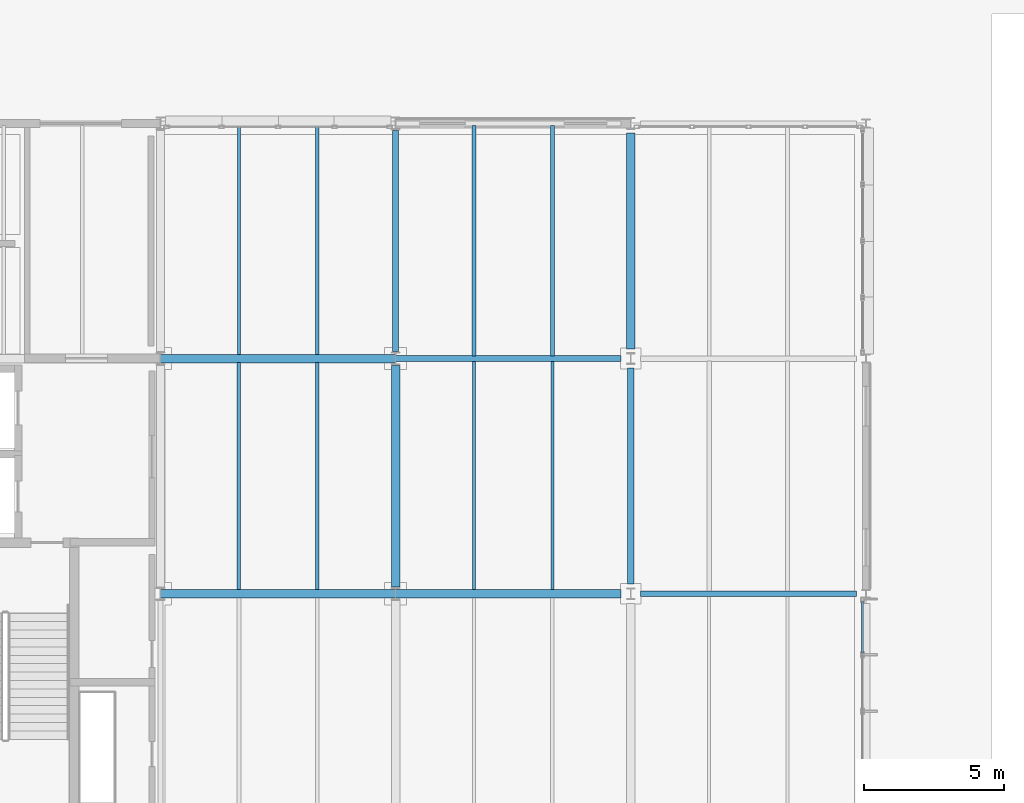
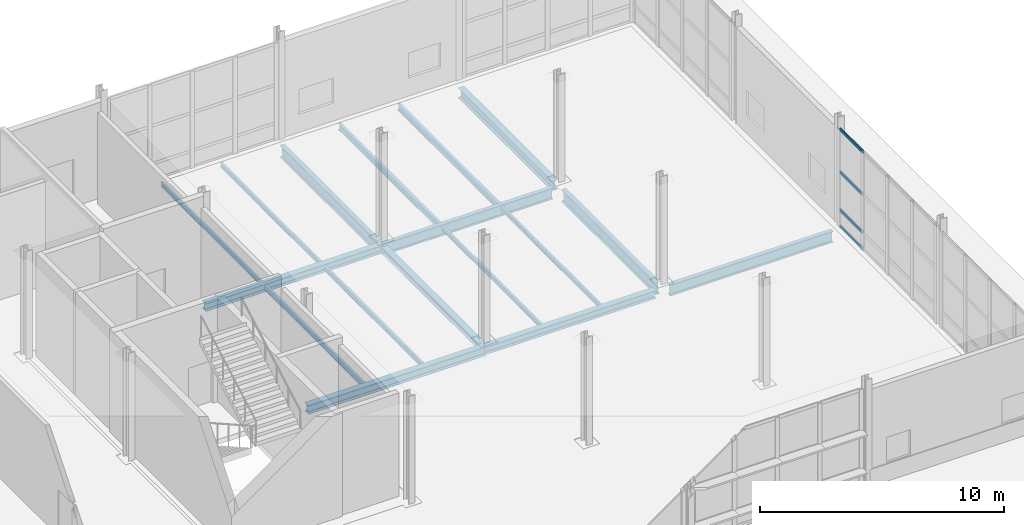
# One storey, part 48 of 124: 17 beams, 4 members, 1 element without a shape of its own.
"""IFC4 building model written with IfcOpenShell, lengths in metres."""

from ifc_helpers import new_model, si_unit, direction, frame, origin, origin_2d, place, context, subcontext, project, spatial, hollow_rectangle, i_section, extrude, material, material_profile, profile_set, type_object, element, aggregate, save


model = new_model("IFC4")

# Units and contexts
model_context = context("Model", 3, precision=1e-05, world=origin(), true_north=direction((0.0, 1.0)))
body_context = subcontext(model_context, "Body", "Model", "MODEL_VIEW")
ifc_project = project(units=[si_unit("LENGTHUNIT", "METRE"), si_unit("AREAUNIT", "SQUARE_METRE"), si_unit("VOLUMEUNIT", "CUBIC_METRE"), si_unit("PLANEANGLEUNIT", "RADIAN"), si_unit("MASSUNIT", "GRAM", prefix="KILO")], contexts=[model_context])

# Site, building, storey
site_placement = place(None, origin())
site = spatial("IfcSite", under=ifc_project, at=site_placement, CompositionType="ELEMENT")
building_placement = place(site_placement, origin())
building = spatial("IfcBuilding", under=site, at=building_placement, Name="Mersafa Astral City Hall", CompositionType="ELEMENT")
storey_placement = place(building_placement, origin())
storey = spatial("IfcBuildingStorey", under=building, at=storey_placement, Name="L00", CompositionType="ELEMENT", Elevation=0.0)

# Curtain wall, members
ifc_material_1 = material(Name="Anodised bronze aluminium framing", Category="aluminium")
curtain_wall_type = type_object("IfcCurtainWallType", Name="ENV-CW-5", PredefinedType="USERDEFINED", material=ifc_material_1)
curtain_wall_placement = place(storey_placement, origin())
curtain_wall = element("IfcCurtainWall", 1, at=curtain_wall_placement, inside=storey, type_object=curtain_wall_type, Name="L00 Unitised solar curtain wall 4", ObjectType="UNITISED CURTAIN WALL", PredefinedType="USERDEFINED")
ifc_material_profile_1 = material_profile(ifc_material_1, hollow_rectangle(XDim=0.06005859375, YDim=0.159912109375, WallThickness=0.00390625, at=origin_2d()), Name="RHS 60x160x4")
ifc_profile_set_1 = profile_set([ifc_material_profile_1], Name="Anodised bronze aluminium framing")
member_type = type_object("IfcMemberType", Name="ENV-CW-TRN-2", PredefinedType="USERDEFINED", material=ifc_profile_set_1)
member_1_placement = place(storey_placement, frame((151.080078125, 14.678955078125, 0.028076171875), z_axis=(0.0, 1.0, 0.0), x_axis=(-1.0, 0.0, 0.0)))
member_1 = element("IfcMember", 2, at=member_1_placement, type_object=member_type, Name="CW-5 transom 4.1", ObjectType="TRANSOM", PredefinedType="USERDEFINED", context=body_context, shape_type="SweptSolid", body=[
    extrude(hollow_rectangle(XDim=0.06005859375, YDim=0.159912109375, WallThickness=0.00390625, at=origin_2d()), origin(), (0.0, 0.0, 1.0), 1.839111328125),
])
member_2_placement = place(storey_placement, frame((151.080078125, 14.678955078125, 0.85009765625), z_axis=(0.0, 1.0, 0.0), x_axis=(-1.0, 0.0, 0.0)))
member_2 = element("IfcMember", 3, at=member_2_placement, type_object=member_type, Name="CW-5 transom 4.2", ObjectType="TRANSOM", PredefinedType="USERDEFINED", context=body_context, shape_type="SweptSolid", body=[
    extrude(hollow_rectangle(XDim=0.06005859375, YDim=0.159912109375, WallThickness=0.00390625, at=origin_2d()), origin(), (0.0, 0.0, 1.0), 1.839111328125),
])
member_3_placement = place(storey_placement, frame((151.080078125, 14.678955078125, 2.75), z_axis=(0.0, 1.0, 0.0), x_axis=(-1.0, 0.0, 0.0)))
member_3 = element("IfcMember", 4, at=member_3_placement, type_object=member_type, Name="CW-5 transom 4.3", ObjectType="TRANSOM", PredefinedType="USERDEFINED", context=body_context, shape_type="SweptSolid", body=[
    extrude(hollow_rectangle(XDim=0.06005859375, YDim=0.159912109375, WallThickness=0.00390625, at=origin_2d()), origin(), (0.0, 0.0, 1.0), 1.839111328125),
])
member_4_placement = place(storey_placement, frame((151.080078125, 14.678955078125, 4.8720703125), z_axis=(0.0, 1.0, 0.0), x_axis=(-1.0, 0.0, 0.0)))
member_4 = element("IfcMember", 5, at=member_4_placement, type_object=member_type, Name="CW-5 transom 4.4", ObjectType="TRANSOM", PredefinedType="USERDEFINED", context=body_context, shape_type="SweptSolid", body=[
    extrude(hollow_rectangle(XDim=0.06005859375, YDim=0.159912109375, WallThickness=0.00390625, at=origin_2d()), origin(), (0.0, 0.0, 1.0), 1.839111328125),
])
aggregate(curtain_wall, [member_1, member_2, member_3, member_4])

# Beams
ifc_material_2 = material(Name="Steel S355", Category="steel")
ifc_material_profile_2 = material_profile(ifc_material_2, i_section(OverallWidth=0.300048828125, OverallDepth=0.31005859375, WebThickness=0.009033203125, FlangeThickness=0.015380859375, FilletRadius=0.027099609375, at=origin_2d()), Name="HEA 320")
ifc_profile_set_2 = profile_set([ifc_material_profile_2], Name="Steel S355")
beam_type_1 = type_object("IfcBeamType", Name="STR-BM-HEA320", PredefinedType="BEAM", material=ifc_profile_set_2)
beam_1_placement = place(storey_placement, frame((134.39990234375, 17.044921875, -0.405029296875), z_axis=(0.0, 1.0, 0.0), x_axis=(-1.0, 0.0, 0.0)))
element("IfcBeam", 6, at=beam_1_placement, inside=storey, type_object=beam_type_1, Name="L00 Primary girder Y 16-2", PredefinedType="BEAM", context=body_context, shape_type="SweptSolid", body=[
    extrude(i_section(OverallWidth=0.300048828125, OverallDepth=0.31005859375, WebThickness=0.009033203125, FlangeThickness=0.015380859375, FilletRadius=0.027099609375, at=origin_2d()), origin(), (0.0, 0.0, 1.0), 7.91015625),
])
ifc_material_profile_3 = material_profile(ifc_material_2, i_section(OverallWidth=0.300048828125, OverallDepth=0.389892578125, WebThickness=0.010986328125, FlangeThickness=0.01904296875, FilletRadius=0.027099609375, at=origin_2d()), Name="HEA 400")
ifc_profile_set_3 = profile_set([ifc_material_profile_3], Name="Steel S355")
beam_type_2 = type_object("IfcBeamType", Name="STR-BM-HEA400", PredefinedType="BEAM", material=ifc_profile_set_3)
beam_2_placement = place(storey_placement, frame((134.403076171875, 16.800048828125, -0.445068359375), z_axis=(1.0, 0.0, 0.0), x_axis=(0.0, 1.0, 0.0)))
element("IfcBeam", 7, at=beam_2_placement, inside=storey, type_object=beam_type_2, Name="L00 Primary girder X 16-2", PredefinedType="BEAM", context=body_context, shape_type="SweptSolid", body=[
    extrude(i_section(OverallWidth=0.300048828125, OverallDepth=0.389892578125, WebThickness=0.010986328125, FlangeThickness=0.01904296875, FilletRadius=0.027099609375, at=origin_2d()), origin(), (0.0, 0.0, 1.0), 8.052001953125),
])
beam_3_placement = place(storey_placement, frame((126.0029296875, 25.199951171875, -0.445068359375), z_axis=(1.0, 0.0, 0.0), x_axis=(0.0, 1.0, 0.0)))
element("IfcBeam", 8, at=beam_3_placement, inside=storey, type_object=beam_type_2, Name="L00 Primary girder X 15-3", PredefinedType="BEAM", context=body_context, shape_type="SweptSolid", body=[
    extrude(i_section(OverallWidth=0.300048828125, OverallDepth=0.389892578125, WebThickness=0.010986328125, FlangeThickness=0.01904296875, FilletRadius=0.027099609375, at=origin_2d()), origin(), (0.0, 0.0, 1.0), 8.39404296875),
])
ifc_material_profile_4 = material_profile(ifc_material_2, i_section(OverallWidth=0.300048828125, OverallDepth=0.43994140625, WebThickness=0.011474609375, FlangeThickness=0.02099609375, FilletRadius=0.027099609375, at=origin_2d()), Name="HEA 450")
ifc_profile_set_4 = profile_set([ifc_material_profile_4], Name="Steel S355")
beam_type_3 = type_object("IfcBeamType", Name="STR-BM-HEA450", PredefinedType="BEAM", material=ifc_profile_set_4)
beam_4_placement = place(storey_placement, frame((126.0029296875, 16.800048828125, -0.469970703125), z_axis=(1.0, 0.0, 0.0), x_axis=(0.0, 1.0, 0.0)))
element("IfcBeam", 9, at=beam_4_placement, inside=storey, type_object=beam_type_3, Name="L00 Primary girder X 15-2", PredefinedType="BEAM", context=body_context, shape_type="SweptSolid", body=[
    extrude(i_section(OverallWidth=0.300048828125, OverallDepth=0.43994140625, WebThickness=0.011474609375, FlangeThickness=0.02099609375, FilletRadius=0.027099609375, at=origin_2d()), origin(), (0.0, 0.0, 1.0), 8.39404296875),
])
ifc_material_profile_5 = material_profile(ifc_material_2, i_section(OverallWidth=0.300048828125, OverallDepth=0.489990234375, WebThickness=0.011962890625, FlangeThickness=0.02294921875, FilletRadius=0.027099609375, at=origin_2d()), Name="HEA 500")
ifc_profile_set_5 = profile_set([ifc_material_profile_5], Name="Steel S355")
beam_type_4 = type_object("IfcBeamType", Name="STR-BM-HEA500", PredefinedType="BEAM", material=ifc_profile_set_5)
beam_5_placement = place(storey_placement, frame((142.800048828125, 25.544921875, -0.4951171875), z_axis=(0.0, 1.0, 0.0), x_axis=(-1.0, 0.0, 0.0)))
element("IfcBeam", 10, at=beam_5_placement, inside=storey, type_object=beam_type_4, Name="L00 Primary girder Y 17-3", PredefinedType="BEAM", context=body_context, shape_type="SweptSolid", body=[
    extrude(i_section(OverallWidth=0.300048828125, OverallDepth=0.489990234375, WebThickness=0.011962890625, FlangeThickness=0.02294921875, FilletRadius=0.027099609375, at=origin_2d()), origin(), (0.0, 0.0, 1.0), 7.7099609375),
])
ifc_material_profile_6 = material_profile(ifc_material_2, i_section(OverallWidth=0.2099609375, OverallDepth=0.550048828125, WebThickness=0.010986328125, FlangeThickness=0.01708984375, FilletRadius=0.02392578125, at=origin_2d()), Name="IPE 550")
ifc_profile_set_6 = profile_set([ifc_material_profile_6], Name="Steel S355")
beam_type_5 = type_object("IfcBeamType", Name="STR-BM-IPE550", PredefinedType="BEAM", material=ifc_profile_set_6)
beam_6_placement = place(storey_placement, frame((143.14501953125, 16.800048828125, -0.52490234375), z_axis=(1.0, 0.0, 0.0), x_axis=(0.0, 1.0, 0.0)))
element("IfcBeam", 11, at=beam_6_placement, inside=storey, type_object=beam_type_5, Name="L00 Primary girder X 17-2", PredefinedType="BEAM", context=body_context, shape_type="SweptSolid", body=[
    extrude(i_section(OverallWidth=0.2099609375, OverallDepth=0.550048828125, WebThickness=0.010986328125, FlangeThickness=0.01708984375, FilletRadius=0.02392578125, at=origin_2d()), origin(), (0.0, 0.0, 1.0), 7.7099609375),
])
beam_7_placement = place(storey_placement, frame((134.403076171875, 25.199951171875, -0.52490234375), z_axis=(1.0, 0.0, 0.0), x_axis=(0.0, 1.0, 0.0)))
element("IfcBeam", 12, at=beam_7_placement, inside=storey, type_object=beam_type_5, Name="L00 Primary girder X 16-3", PredefinedType="BEAM", context=body_context, shape_type="SweptSolid", body=[
    extrude(i_section(OverallWidth=0.2099609375, OverallDepth=0.550048828125, WebThickness=0.010986328125, FlangeThickness=0.01708984375, FilletRadius=0.02392578125, at=origin_2d()), origin(), (0.0, 0.0, 1.0), 8.052001953125),
])
ifc_material_profile_7 = material_profile(ifc_material_2, i_section(OverallWidth=0.219970703125, OverallDepth=0.60009765625, WebThickness=0.011962890625, FlangeThickness=0.01904296875, FilletRadius=0.02392578125, at=origin_2d()), Name="IPE 600")
ifc_profile_set_7 = profile_set([ifc_material_profile_7], Name="Steel S355")
beam_type_6 = type_object("IfcBeamType", Name="STR-BM-IPE600", PredefinedType="BEAM", material=ifc_profile_set_7)
beam_8_placement = place(storey_placement, frame((134.39990234375, 25.445068359375, -0.550048828125), z_axis=(0.0, 1.0, 0.0), x_axis=(-1.0, 0.0, 0.0)))
element("IfcBeam", 13, at=beam_8_placement, inside=storey, type_object=beam_type_6, Name="L00 Primary girder Y 16-3", PredefinedType="BEAM", context=body_context, shape_type="SweptSolid", body=[
    extrude(i_section(OverallWidth=0.219970703125, OverallDepth=0.60009765625, WebThickness=0.011962890625, FlangeThickness=0.01904296875, FilletRadius=0.02392578125, at=origin_2d()), origin(), (0.0, 0.0, 1.0), 7.909912109375),
])
beam_9_placement = place(storey_placement, frame((142.800048828125, 17.14501953125, -0.550048828125), z_axis=(0.0, 1.0, 0.0), x_axis=(-1.0, 0.0, 0.0)))
element("IfcBeam", 14, at=beam_9_placement, inside=storey, type_object=beam_type_6, Name="L00 Primary girder Y 17-2", PredefinedType="BEAM", context=body_context, shape_type="SweptSolid", body=[
    extrude(i_section(OverallWidth=0.219970703125, OverallDepth=0.60009765625, WebThickness=0.011962890625, FlangeThickness=0.01904296875, FilletRadius=0.02392578125, at=origin_2d()), origin(), (0.0, 0.0, 1.0), 7.7099609375),
])
ifc_material_profile_8 = material_profile(ifc_material_2, i_section(OverallWidth=0.110107421875, OverallDepth=0.219970703125, WebThickness=0.005859375, FlangeThickness=0.00927734375, FilletRadius=0.011962890625, at=origin_2d()), Name="IPE 220")
ifc_profile_set_8 = profile_set([ifc_material_profile_8], Name="Steel S355")
beam_type_7 = type_object("IfcBeamType", Name="STR-BM-JOIST-IPE220", PredefinedType="JOIST", material=ifc_profile_set_8)
for number, where, z_axis, x_axis, name in (
    (15, (128.800048828125, 25.344970703125, -0.360107421875), (0.0, 1.0, 0.0), (-1.0, 0.0, 0.0), "L00 Composite secondary floor joist 150"),
    (16, (131.60009765625, 25.344970703125, -0.360107421875), (0.0, 1.0, 0.0), (-1.0, 0.0, 0.0), "L00 Composite secondary floor joist 151"),
):
    element("IfcBeam", number, at=place(storey_placement, frame(where, z_axis=z_axis, x_axis=x_axis)), inside=storey, type_object=beam_type_7, Name=name, PredefinedType="JOIST", context=body_context, shape_type="SweptSolid", body=[
        extrude(i_section(OverallWidth=0.110107421875, OverallDepth=0.219970703125, WebThickness=0.005859375, FlangeThickness=0.00927734375, FilletRadius=0.011962890625, at=origin_2d()), origin(), (0.0, 0.0, 1.0), 8.179931640625),
    ])
for number, where, z_axis, x_axis, name in (
    (17, (137.199951171875, 16.945068359375, -0.360107421875), (0.0, 1.0, 0.0), (-1.0, 0.0, 0.0), "L00 Composite secondary floor joist 158"),
    (18, (140.0, 16.945068359375, -0.360107421875), (0.0, 1.0, 0.0), (-1.0, 0.0, 0.0), "L00 Composite secondary floor joist 159"),
):
    element("IfcBeam", number, at=place(storey_placement, frame(where, z_axis=z_axis, x_axis=x_axis)), inside=storey, type_object=beam_type_7, Name=name, PredefinedType="JOIST", context=body_context, shape_type="SweptSolid", body=[
        extrude(i_section(OverallWidth=0.110107421875, OverallDepth=0.219970703125, WebThickness=0.005859375, FlangeThickness=0.00927734375, FilletRadius=0.011962890625, at=origin_2d()), origin(), (0.0, 0.0, 1.0), 8.155029296875),
    ])
ifc_material_profile_9 = material_profile(ifc_material_2, i_section(OverallWidth=0.1201171875, OverallDepth=0.239990234375, WebThickness=0.006103515625, FlangeThickness=0.009765625, FilletRadius=0.014892578125, at=origin_2d()), Name="IPE 240")
ifc_profile_set_9 = profile_set([ifc_material_profile_9], Name="Steel S355")
beam_type_8 = type_object("IfcBeamType", Name="STR-BM-JOIST-IPE240", PredefinedType="JOIST", material=ifc_profile_set_9)
for number, where, z_axis, x_axis, name in (
    (19, (128.800048828125, 16.945068359375, -0.3701171875), (0.0, 1.0, 0.0), (-1.0, 0.0, 0.0), "L00 Composite secondary floor joist 148"),
    (20, (131.60009765625, 16.945068359375, -0.3701171875), (0.0, 1.0, 0.0), (-1.0, 0.0, 0.0), "L00 Composite secondary floor joist 149"),
):
    element("IfcBeam", number, at=place(storey_placement, frame(where, z_axis=z_axis, x_axis=x_axis)), inside=storey, type_object=beam_type_8, Name=name, PredefinedType="JOIST", context=body_context, shape_type="SweptSolid", body=[
        extrude(i_section(OverallWidth=0.1201171875, OverallDepth=0.239990234375, WebThickness=0.006103515625, FlangeThickness=0.009765625, FilletRadius=0.014892578125, at=origin_2d()), origin(), (0.0, 0.0, 1.0), 8.10986328125),
    ])
ifc_material_profile_10 = material_profile(ifc_material_2, i_section(OverallWidth=0.14990234375, OverallDepth=0.300048828125, WebThickness=0.007080078125, FlangeThickness=0.0107421875, FilletRadius=0.014892578125, at=origin_2d()), Name="IPE 300")
ifc_profile_set_10 = profile_set([ifc_material_profile_10], Name="Steel S355")
beam_type_9 = type_object("IfcBeamType", Name="STR-BM-JOIST-IPE300", PredefinedType="JOIST", material=ifc_profile_set_10)
for number, where, z_axis, x_axis, name in (
    (21, (137.199951171875, 25.300048828125, -0.39990234375), (0.0, 1.0, 0.0), (-1.0, 0.0, 0.0), "L00 Composite secondary floor joist 160"),
    (22, (140.0, 25.300048828125, -0.39990234375), (0.0, 1.0, 0.0), (-1.0, 0.0, 0.0), "L00 Composite secondary floor joist 161"),
):
    element("IfcBeam", number, at=place(storey_placement, frame(where, z_axis=z_axis, x_axis=x_axis)), inside=storey, type_object=beam_type_9, Name=name, PredefinedType="JOIST", context=body_context, shape_type="SweptSolid", body=[
        extrude(i_section(OverallWidth=0.14990234375, OverallDepth=0.300048828125, WebThickness=0.007080078125, FlangeThickness=0.0107421875, FilletRadius=0.014892578125, at=origin_2d()), origin(), (0.0, 0.0, 1.0), 8.219970703125),
    ])

save(model, "model.ifc")
